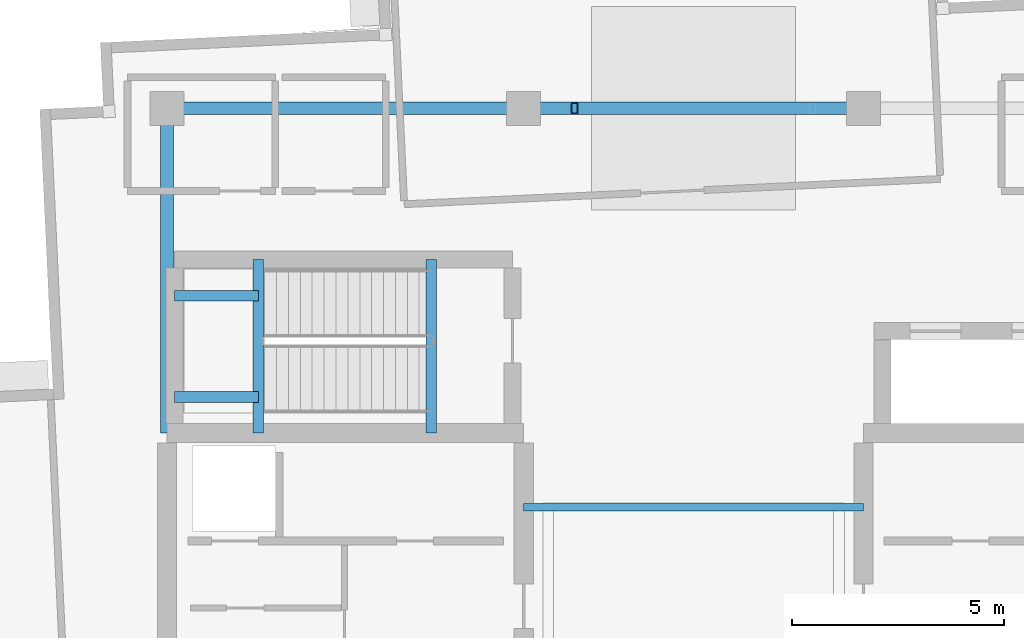
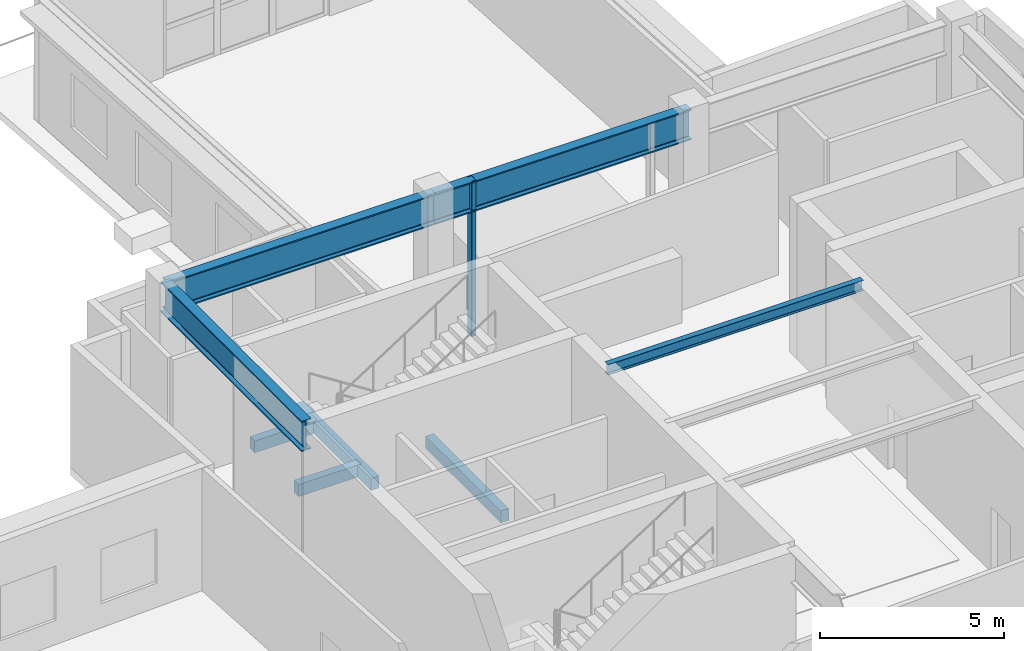
# One storey, part 8 of 22: 8 beams, 1 member.
"""IFC4 building model written with IfcOpenShell, lengths in metres."""

from ifc_helpers import new_model, si_unit, direction, frame, origin, origin_2d, place, context, subcontext, project, spatial, rectangle, hollow_rectangle, i_section, extrude, material, material_profile, profile_set, type_object, element, save


model = new_model("IFC4")

# Units and contexts
model_context = context("Model", 3, precision=1e-05, world=origin(), true_north=direction((0.0, 1.0)))
body_context = subcontext(model_context, "Body", "Model", "MODEL_VIEW")
ifc_project = project(units=[si_unit("LENGTHUNIT", "METRE"), si_unit("AREAUNIT", "SQUARE_METRE"), si_unit("VOLUMEUNIT", "CUBIC_METRE"), si_unit("PLANEANGLEUNIT", "RADIAN"), si_unit("MASSUNIT", "GRAM", prefix="KILO")], contexts=[model_context])

# Site, building, storey
site_placement = place(None, origin())
site = spatial("IfcSite", under=ifc_project, at=site_placement, CompositionType="ELEMENT")
building_placement = place(site_placement, origin())
building = spatial("IfcBuilding", under=site, at=building_placement, Name="Qingluan Cross Belvedere", CompositionType="ELEMENT")
storey_placement = place(building_placement, frame((0.0, 0.0, 294.0)))
storey = spatial("IfcBuildingStorey", under=building, at=storey_placement, Name="L73", CompositionType="ELEMENT", Elevation=294.0)

# Beams
ifc_material_1 = material(Name="Concrete C45", Category="concrete")
ifc_material_profile_1 = material_profile(ifc_material_1, rectangle(XDim=0.25, YDim=0.39990234375, at=origin_2d()), Name="RC250x400")
ifc_profile_set_1 = profile_set([ifc_material_profile_1], Name="Concrete C45")
beam_type_1 = type_object("IfcBeamType", Name="RC_Lintel_RC250x400", PredefinedType="LINTEL", material=ifc_profile_set_1)
for number, where, z_axis, x_axis, name in (
    (1, (-6.179931640625, 4.949951171875, -0.199951171875), (0.0, 1.0, 0.0), (-1.0, 0.0, 0.0), "Stair ST3 landing beam L73"),
    (2, (-10.25, 4.949951171875, 2.300048828125), (0.0, 1.0, 0.0), (-1.0, 0.0, 0.0), "Stair ST3 beam A L73"),
):
    element("IfcBeam", number, at=place(storey_placement, frame(where, z_axis=z_axis, x_axis=x_axis)), inside=storey, type_object=beam_type_1, Name=name, PredefinedType="LINTEL", context=body_context, shape_type="SweptSolid", body=[
        extrude(rectangle(XDim=0.25, YDim=0.39990234375, at=origin_2d()), origin(), (0.0, 0.0, 1.0), 4.090087890625),
    ])
for number, where, z_axis, x_axis, name in (
    (3, (-12.219970703125, 5.800048828125, 2.300048828125), (1.0, 0.0, 0.0), (0.0, 1.0, 0.0), "Stair ST3 beam B L73"),
    (4, (-12.219970703125, 8.18994140625, 2.300048828125), (1.0, 0.0, 0.0), (0.0, 1.0, 0.0), "Stair ST3 beam C L73"),
):
    element("IfcBeam", number, at=place(storey_placement, frame(where, z_axis=z_axis, x_axis=x_axis)), inside=storey, type_object=beam_type_1, Name=name, PredefinedType="LINTEL", context=body_context, shape_type="SweptSolid", body=[
        extrude(rectangle(XDim=0.25, YDim=0.39990234375, at=origin_2d()), origin(), (0.0, 0.0, 1.0), 1.969970703125),
    ])

# Member
ifc_material_2 = material(Name="Steel Q420GJB", Category="steel")
ifc_material_profile_2 = material_profile(ifc_material_2, hollow_rectangle(XDim=0.14990234375, YDim=0.25, WallThickness=0.010009765625, InnerFilletRadius=0.010009765625, OuterFilletRadius=0.02001953125, at=origin_2d()), Name="RHS250x150x10")
ifc_profile_set_2 = profile_set([ifc_material_profile_2], Name="Steel Q420GJB")
member_type = type_object("IfcMemberType", Name="SteelMember_POST_RHS250x150x10", PredefinedType="POST", material=ifc_profile_set_2)
member_placement = place(storey_placement, frame((-2.800048828125, 12.60009765625, 0.0), z_axis=(0.0, 0.0, 1.0), x_axis=(1.0, 0.0, 0.0)))
element("IfcMember", 5, at=member_placement, inside=storey, type_object=member_type, Name="Tuned mass damper portal frame post 1", PredefinedType="POST", context=body_context, shape_type="SweptSolid", body=[
    extrude(hollow_rectangle(XDim=0.14990234375, YDim=0.25, WallThickness=0.010009765625, InnerFilletRadius=0.010009765625, OuterFilletRadius=0.02001953125, at=origin_2d()), origin(), (0.0, 0.0, 1.0), 5.14990234375),
])

# Beams
ifc_material_3 = material(Name="Steel Q420GJB", Category="steel")
ifc_material_profile_3 = material_profile(ifc_material_3, i_section(OverallWidth=0.175048828125, OverallDepth=0.35009765625, WebThickness=0.007080078125, FlangeThickness=0.010986328125, FilletRadius=0.012939453125, at=origin_2d()), Name="HN350x175x7x11")
ifc_profile_set_3 = profile_set([ifc_material_profile_3], Name="Steel Q420GJB")
beam_type_2 = type_object("IfcBeamType", Name="Steel_Beam_HN350x175x7x11", PredefinedType="JOIST", material=ifc_profile_set_3)
beam_1_placement = place(storey_placement, frame((-4.0, 3.199951171875, 4.97509765625), z_axis=(1.0, 0.0, 0.0), x_axis=(0.0, 1.0, 0.0)))
element("IfcBeam", 6, at=beam_1_placement, inside=storey, type_object=beam_type_2, Name="Hall beam L73-CH3", PredefinedType="JOIST", context=body_context, shape_type="SweptSolid", body=[
    extrude(i_section(OverallWidth=0.175048828125, OverallDepth=0.35009765625, WebThickness=0.007080078125, FlangeThickness=0.010986328125, FilletRadius=0.012939453125, at=origin_2d()), origin(), (0.0, 0.0, 1.0), 8.0),
])
ifc_material_4 = material(Name="Steel Q420GJB", Category="steel")
ifc_material_profile_4 = material_profile(ifc_material_4, i_section(OverallWidth=0.302001953125, OverallDepth=1.008056640625, WebThickness=0.02099609375, FlangeThickness=0.0400390625, FilletRadius=0.030029296875, at=origin_2d()), Name="HEM1000")
ifc_profile_set_4 = profile_set([ifc_material_profile_4], Name="Steel Q420GJB")
beam_type_3 = type_object("IfcBeamType", Name="Steel_Girder_HEM1000", PredefinedType="USERDEFINED", material=ifc_profile_set_4)
beam_2_placement = place(storey_placement, frame((-12.39990234375, 12.60009765625, 4.64599609375), z_axis=(1.0, 0.0, 0.0), x_axis=(0.0, 1.0, 0.0)))
element("IfcBeam", 7, at=beam_2_placement, inside=storey, type_object=beam_type_3, Name="Hub girder L73-HG-N1", ObjectType="GIRDER", PredefinedType="USERDEFINED", context=body_context, shape_type="SweptSolid", body=[
    extrude(i_section(OverallWidth=0.302001953125, OverallDepth=1.008056640625, WebThickness=0.02099609375, FlangeThickness=0.0400390625, FilletRadius=0.030029296875, at=origin_2d()), origin(), (0.0, 0.0, 1.0), 8.39990234375),
])
beam_3_placement = place(storey_placement, frame((-4.0, 12.60009765625, 4.64599609375), z_axis=(1.0, 0.0, 0.0), x_axis=(0.0, 1.0, 0.0)))
element("IfcBeam", 8, at=beam_3_placement, inside=storey, type_object=beam_type_3, Name="Hub girder L73-HG-N2", ObjectType="GIRDER", PredefinedType="USERDEFINED", context=body_context, shape_type="SweptSolid", body=[
    extrude(i_section(OverallWidth=0.302001953125, OverallDepth=1.008056640625, WebThickness=0.02099609375, FlangeThickness=0.0400390625, FilletRadius=0.030029296875, at=origin_2d()), origin(), (0.0, 0.0, 1.0), 8.0),
])
beam_4_placement = place(storey_placement, frame((-12.39990234375, 4.949951171875, 4.64599609375), z_axis=(0.0, 1.0, 0.0), x_axis=(-1.0, 0.0, 0.0)))
element("IfcBeam", 9, at=beam_4_placement, inside=storey, type_object=beam_type_3, Name="Hub girder L73-HG-W2", ObjectType="GIRDER", PredefinedType="USERDEFINED", context=body_context, shape_type="SweptSolid", body=[
    extrude(i_section(OverallWidth=0.302001953125, OverallDepth=1.008056640625, WebThickness=0.02099609375, FlangeThickness=0.0400390625, FilletRadius=0.030029296875, at=origin_2d()), origin(), (0.0, 0.0, 1.0), 7.650146484375),
])

save(model, "model.ifc")
